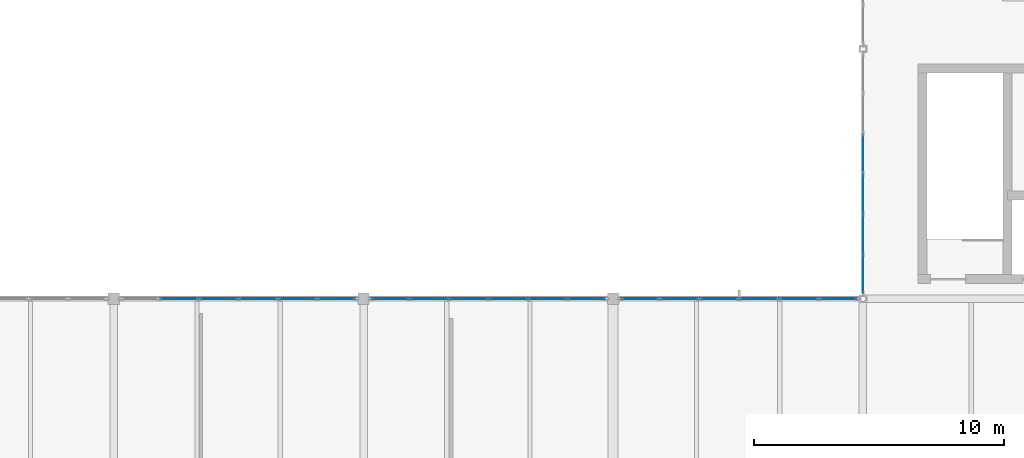
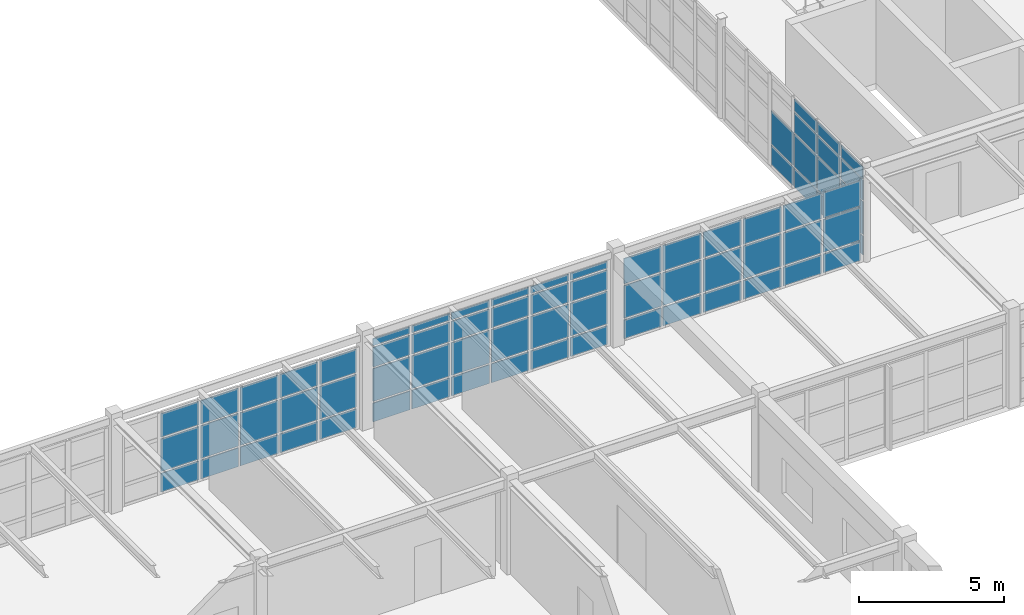
# One storey, part 84 of 122: 71 plates, 4 elements without a shape of their own.
"""IFC4 building model written with IfcOpenShell, lengths in metres."""

from ifc_helpers import new_model, si_unit, direction, frame, origin, origin_2d, place, context, subcontext, project, spatial, rectangle, extrude, material, layer, layer_set, type_object, element, aggregate, save


model = new_model("IFC4")

# Units and contexts
model_context = context("Model", 3, precision=1e-05, world=origin(), true_north=direction((0.0, 1.0)))
body_context = subcontext(model_context, "Body", "Model", "MODEL_VIEW")
ifc_project = project(units=[si_unit("LENGTHUNIT", "METRE"), si_unit("AREAUNIT", "SQUARE_METRE"), si_unit("VOLUMEUNIT", "CUBIC_METRE"), si_unit("PLANEANGLEUNIT", "RADIAN"), si_unit("MASSUNIT", "GRAM", prefix="KILO"), si_unit("THERMODYNAMICTEMPERATUREUNIT", "KELVIN"), si_unit("POWERUNIT", "WATT")], contexts=[model_context])

# Site, building, storey
site_placement = place(None, origin())
site = spatial("IfcSite", under=ifc_project, at=site_placement, CompositionType="ELEMENT")
building_placement = place(site_placement, origin())
building = spatial("IfcBuilding", under=site, at=building_placement, Name="Korenveer Ferry Terminal", CompositionType="ELEMENT")
storey_placement = place(building_placement, frame((0.0, 0.0, 10.199951171875)))
storey = spatial("IfcBuildingStorey", under=building, at=storey_placement, Name="L02", CompositionType="ELEMENT", Elevation=10.199951171875)

# Curtain wall, plates
ifc_material_1 = material(Name="Unitised bronze-and-glass curtain wall", Category="glass")
ifc_layer_1 = layer(ifc_material_1, 0.219970703125)
ifc_layer_set_1 = layer_set([ifc_layer_1], Name="Unitised bronze-and-glass curtain wall")
curtain_wall_type_1 = type_object("IfcCurtainWallType", Name="ENV-CW-95", PredefinedType="USERDEFINED", material=ifc_layer_set_1)
curtain_wall_1_placement = place(storey_placement, frame((10.2548828125, 80.0, 0.0)))
curtain_wall_1 = element("IfcCurtainWall", 1, at=curtain_wall_1_placement, inside=storey, type_object=curtain_wall_type_1, Name="Lancet curtain wall CWX-L02-X10-20-Y80-80", ObjectType="UNITISED CURTAIN WALL", PredefinedType="USERDEFINED")
ifc_material_2 = material(Name="Acoustic laminated marine glazing", Category="glass")
ifc_layer_2 = layer(ifc_material_2, 0.035888671875)
ifc_layer_set_2 = layer_set([ifc_layer_2], Name="Acoustic laminated marine glazing")
plate_type = type_object("IfcPlateType", Name="ENV-CWP-GLZ36", PredefinedType="CURTAIN_PANEL", material=ifc_layer_set_2)
plate_1_placement = place(storey_placement, frame((12.62744140625, 80.0, 0.074951171875), z_axis=(0.0, 0.0, 1.0), x_axis=(1.0, 0.0, 0.0)))
plate_1 = element("IfcPlate", 2, at=plate_1_placement, type_object=plate_type, Name="CW-95 panel 2.1", PredefinedType="CURTAIN_PANEL", context=body_context, shape_type="SweptSolid", body=[
    extrude(rectangle(XDim=1.506591796875, YDim=0.035888671875, at=origin_2d()), origin(), (0.0, 0.0, 1.0), 0.78759765625),
])
plate_2_placement = place(storey_placement, frame((12.62744140625, 80.0, 0.9375), z_axis=(0.0, 0.0, 1.0), x_axis=(1.0, 0.0, 0.0)))
plate_2 = element("IfcPlate", 3, at=plate_2_placement, type_object=plate_type, Name="CW-95 panel 2.2", PredefinedType="CURTAIN_PANEL", context=body_context, shape_type="SweptSolid", body=[
    extrude(rectangle(XDim=1.506591796875, YDim=0.035888671875, at=origin_2d()), origin(), (0.0, 0.0, 1.0), 1.375),
])
plate_3_placement = place(storey_placement, frame((12.62744140625, 80.0, 2.3876953125), z_axis=(0.0, 0.0, 1.0), x_axis=(1.0, 0.0, 0.0)))
plate_3 = element("IfcPlate", 4, at=plate_3_placement, type_object=plate_type, Name="CW-95 panel 2.3", PredefinedType="CURTAIN_PANEL", context=body_context, shape_type="SweptSolid", body=[
    extrude(rectangle(XDim=1.506591796875, YDim=0.035888671875, at=origin_2d()), origin(), (0.0, 0.0, 1.0), 0.987548828125),
])
plate_4_placement = place(storey_placement, frame((14.209228515625, 80.0, 0.074951171875), z_axis=(0.0, 0.0, 1.0), x_axis=(1.0, 0.0, 0.0)))
plate_4 = element("IfcPlate", 5, at=plate_4_placement, type_object=plate_type, Name="CW-95 panel 3.1", PredefinedType="CURTAIN_PANEL", context=body_context, shape_type="SweptSolid", body=[
    extrude(rectangle(XDim=1.506591796875, YDim=0.035888671875, at=origin_2d()), origin(), (0.0, 0.0, 1.0), 0.78759765625),
])
plate_5_placement = place(storey_placement, frame((14.209228515625, 80.0, 0.9375), z_axis=(0.0, 0.0, 1.0), x_axis=(1.0, 0.0, 0.0)))
plate_5 = element("IfcPlate", 6, at=plate_5_placement, type_object=plate_type, Name="CW-95 panel 3.2", PredefinedType="CURTAIN_PANEL", context=body_context, shape_type="SweptSolid", body=[
    extrude(rectangle(XDim=1.506591796875, YDim=0.035888671875, at=origin_2d()), origin(), (0.0, 0.0, 1.0), 1.375),
])
plate_6_placement = place(storey_placement, frame((14.209228515625, 80.0, 2.3876953125), z_axis=(0.0, 0.0, 1.0), x_axis=(1.0, 0.0, 0.0)))
plate_6 = element("IfcPlate", 7, at=plate_6_placement, type_object=plate_type, Name="CW-95 panel 3.3", PredefinedType="CURTAIN_PANEL", context=body_context, shape_type="SweptSolid", body=[
    extrude(rectangle(XDim=1.506591796875, YDim=0.035888671875, at=origin_2d()), origin(), (0.0, 0.0, 1.0), 0.987548828125),
])
plate_7_placement = place(storey_placement, frame((15.790771484375, 80.0, 0.074951171875), z_axis=(0.0, 0.0, 1.0), x_axis=(1.0, 0.0, 0.0)))
plate_7 = element("IfcPlate", 8, at=plate_7_placement, type_object=plate_type, Name="CW-95 panel 4.1", PredefinedType="CURTAIN_PANEL", context=body_context, shape_type="SweptSolid", body=[
    extrude(rectangle(XDim=1.506591796875, YDim=0.035888671875, at=origin_2d()), origin(), (0.0, 0.0, 1.0), 0.78759765625),
])
plate_8_placement = place(storey_placement, frame((15.790771484375, 80.0, 0.9375), z_axis=(0.0, 0.0, 1.0), x_axis=(1.0, 0.0, 0.0)))
plate_8 = element("IfcPlate", 9, at=plate_8_placement, type_object=plate_type, Name="CW-95 panel 4.2", PredefinedType="CURTAIN_PANEL", context=body_context, shape_type="SweptSolid", body=[
    extrude(rectangle(XDim=1.506591796875, YDim=0.035888671875, at=origin_2d()), origin(), (0.0, 0.0, 1.0), 1.375),
])
plate_9_placement = place(storey_placement, frame((15.790771484375, 80.0, 2.3876953125), z_axis=(0.0, 0.0, 1.0), x_axis=(1.0, 0.0, 0.0)))
plate_9 = element("IfcPlate", 10, at=plate_9_placement, type_object=plate_type, Name="CW-95 panel 4.3", PredefinedType="CURTAIN_PANEL", context=body_context, shape_type="SweptSolid", body=[
    extrude(rectangle(XDim=1.506591796875, YDim=0.035888671875, at=origin_2d()), origin(), (0.0, 0.0, 1.0), 0.987548828125),
])
plate_10_placement = place(storey_placement, frame((17.37255859375, 80.0, 0.074951171875), z_axis=(0.0, 0.0, 1.0), x_axis=(1.0, 0.0, 0.0)))
plate_10 = element("IfcPlate", 11, at=plate_10_placement, type_object=plate_type, Name="CW-95 panel 5.1", PredefinedType="CURTAIN_PANEL", context=body_context, shape_type="SweptSolid", body=[
    extrude(rectangle(XDim=1.506591796875, YDim=0.035888671875, at=origin_2d()), origin(), (0.0, 0.0, 1.0), 0.78759765625),
])
plate_11_placement = place(storey_placement, frame((17.37255859375, 80.0, 0.9375), z_axis=(0.0, 0.0, 1.0), x_axis=(1.0, 0.0, 0.0)))
plate_11 = element("IfcPlate", 12, at=plate_11_placement, type_object=plate_type, Name="CW-95 panel 5.2", PredefinedType="CURTAIN_PANEL", context=body_context, shape_type="SweptSolid", body=[
    extrude(rectangle(XDim=1.506591796875, YDim=0.035888671875, at=origin_2d()), origin(), (0.0, 0.0, 1.0), 1.375),
])
plate_12_placement = place(storey_placement, frame((17.37255859375, 80.0, 2.3876953125), z_axis=(0.0, 0.0, 1.0), x_axis=(1.0, 0.0, 0.0)))
plate_12 = element("IfcPlate", 13, at=plate_12_placement, type_object=plate_type, Name="CW-95 panel 5.3", PredefinedType="CURTAIN_PANEL", context=body_context, shape_type="SweptSolid", body=[
    extrude(rectangle(XDim=1.506591796875, YDim=0.035888671875, at=origin_2d()), origin(), (0.0, 0.0, 1.0), 0.987548828125),
])
plate_13_placement = place(storey_placement, frame((18.935302734375, 80.0, 0.074951171875), z_axis=(0.0, 0.0, 1.0), x_axis=(1.0, 0.0, 0.0)))
plate_13 = element("IfcPlate", 14, at=plate_13_placement, type_object=plate_type, Name="CW-95 panel 6.1", PredefinedType="CURTAIN_PANEL", context=body_context, shape_type="SweptSolid", body=[
    extrude(rectangle(XDim=1.46923828125, YDim=0.035888671875, at=origin_2d()), origin(), (0.0, 0.0, 1.0), 0.78759765625),
])
plate_14_placement = place(storey_placement, frame((18.935302734375, 80.0, 0.9375), z_axis=(0.0, 0.0, 1.0), x_axis=(1.0, 0.0, 0.0)))
plate_14 = element("IfcPlate", 15, at=plate_14_placement, type_object=plate_type, Name="CW-95 panel 6.2", PredefinedType="CURTAIN_PANEL", context=body_context, shape_type="SweptSolid", body=[
    extrude(rectangle(XDim=1.46923828125, YDim=0.035888671875, at=origin_2d()), origin(), (0.0, 0.0, 1.0), 1.375),
])
plate_15_placement = place(storey_placement, frame((18.935302734375, 80.0, 2.3876953125), z_axis=(0.0, 0.0, 1.0), x_axis=(1.0, 0.0, 0.0)))
plate_15 = element("IfcPlate", 16, at=plate_15_placement, type_object=plate_type, Name="CW-95 panel 6.3", PredefinedType="CURTAIN_PANEL", context=body_context, shape_type="SweptSolid", body=[
    extrude(rectangle(XDim=1.46923828125, YDim=0.035888671875, at=origin_2d()), origin(), (0.0, 0.0, 1.0), 0.987548828125),
])
aggregate(curtain_wall_1, [plate_1, plate_2, plate_3, plate_4, plate_5, plate_6, plate_7, plate_8, plate_9, plate_10, plate_11, plate_12, plate_13, plate_14, plate_15])

ifc_layer_3 = layer(ifc_material_1, 0.219970703125)
ifc_layer_set_3 = layer_set([ifc_layer_3], Name="Unitised bronze-and-glass curtain wall")
curtain_wall_type_2 = type_object("IfcCurtainWallType", Name="ENV-CW-96", PredefinedType="USERDEFINED", material=ifc_layer_set_3)
curtain_wall_2_placement = place(storey_placement, frame((20.2548828125, 80.0, 0.0)))
curtain_wall_2 = element("IfcCurtainWall", 17, at=curtain_wall_2_placement, inside=storey, type_object=curtain_wall_type_2, Name="Lancet curtain wall CWX-L02-X20-30-Y80-80", ObjectType="UNITISED CURTAIN WALL", PredefinedType="USERDEFINED")
plate_16_placement = place(storey_placement, frame((21.064697265625, 80.0, 0.074951171875), z_axis=(0.0, 0.0, 1.0), x_axis=(1.0, 0.0, 0.0)))
plate_16 = element("IfcPlate", 18, at=plate_16_placement, type_object=plate_type, Name="CW-96 panel 1.1", PredefinedType="CURTAIN_PANEL", context=body_context, shape_type="SweptSolid", body=[
    extrude(rectangle(XDim=1.46923828125, YDim=0.035888671875, at=origin_2d()), origin(), (0.0, 0.0, 1.0), 0.78759765625),
])
plate_17_placement = place(storey_placement, frame((21.064697265625, 80.0, 0.9375), z_axis=(0.0, 0.0, 1.0), x_axis=(1.0, 0.0, 0.0)))
plate_17 = element("IfcPlate", 19, at=plate_17_placement, type_object=plate_type, Name="CW-96 panel 1.2", PredefinedType="CURTAIN_PANEL", context=body_context, shape_type="SweptSolid", body=[
    extrude(rectangle(XDim=1.46923828125, YDim=0.035888671875, at=origin_2d()), origin(), (0.0, 0.0, 1.0), 1.375),
])
plate_18_placement = place(storey_placement, frame((21.064697265625, 80.0, 2.3876953125), z_axis=(0.0, 0.0, 1.0), x_axis=(1.0, 0.0, 0.0)))
plate_18 = element("IfcPlate", 20, at=plate_18_placement, type_object=plate_type, Name="CW-96 panel 1.3", PredefinedType="CURTAIN_PANEL", context=body_context, shape_type="SweptSolid", body=[
    extrude(rectangle(XDim=1.46923828125, YDim=0.035888671875, at=origin_2d()), origin(), (0.0, 0.0, 1.0), 0.824951171875),
])
plate_19_placement = place(storey_placement, frame((21.064697265625, 80.0, 3.28759765625), z_axis=(0.0, 0.0, 1.0), x_axis=(1.0, 0.0, 0.0)))
plate_19 = element("IfcPlate", 21, at=plate_19_placement, type_object=plate_type, Name="CW-96 panel 1.4", PredefinedType="CURTAIN_PANEL", context=body_context, shape_type="SweptSolid", body=[
    extrude(rectangle(XDim=1.46923828125, YDim=0.035888671875, at=origin_2d()), origin(), (0.0, 0.0, 1.0), 0.28759765625),
])
plate_20_placement = place(storey_placement, frame((22.62744140625, 80.0, 0.074951171875), z_axis=(0.0, 0.0, 1.0), x_axis=(1.0, 0.0, 0.0)))
plate_20 = element("IfcPlate", 22, at=plate_20_placement, type_object=plate_type, Name="CW-96 panel 2.1", PredefinedType="CURTAIN_PANEL", context=body_context, shape_type="SweptSolid", body=[
    extrude(rectangle(XDim=1.506591796875, YDim=0.035888671875, at=origin_2d()), origin(), (0.0, 0.0, 1.0), 0.78759765625),
])
plate_21_placement = place(storey_placement, frame((22.62744140625, 80.0, 0.9375), z_axis=(0.0, 0.0, 1.0), x_axis=(1.0, 0.0, 0.0)))
plate_21 = element("IfcPlate", 23, at=plate_21_placement, type_object=plate_type, Name="CW-96 panel 2.2", PredefinedType="CURTAIN_PANEL", context=body_context, shape_type="SweptSolid", body=[
    extrude(rectangle(XDim=1.506591796875, YDim=0.035888671875, at=origin_2d()), origin(), (0.0, 0.0, 1.0), 1.375),
])
plate_22_placement = place(storey_placement, frame((22.62744140625, 80.0, 2.3876953125), z_axis=(0.0, 0.0, 1.0), x_axis=(1.0, 0.0, 0.0)))
plate_22 = element("IfcPlate", 24, at=plate_22_placement, type_object=plate_type, Name="CW-96 panel 2.3", PredefinedType="CURTAIN_PANEL", context=body_context, shape_type="SweptSolid", body=[
    extrude(rectangle(XDim=1.506591796875, YDim=0.035888671875, at=origin_2d()), origin(), (0.0, 0.0, 1.0), 0.824951171875),
])
plate_23_placement = place(storey_placement, frame((22.62744140625, 80.0, 3.28759765625), z_axis=(0.0, 0.0, 1.0), x_axis=(1.0, 0.0, 0.0)))
plate_23 = element("IfcPlate", 25, at=plate_23_placement, type_object=plate_type, Name="CW-96 panel 2.4", PredefinedType="CURTAIN_PANEL", context=body_context, shape_type="SweptSolid", body=[
    extrude(rectangle(XDim=1.506591796875, YDim=0.035888671875, at=origin_2d()), origin(), (0.0, 0.0, 1.0), 0.28759765625),
])
plate_24_placement = place(storey_placement, frame((24.209228515625, 80.0, 0.074951171875), z_axis=(0.0, 0.0, 1.0), x_axis=(1.0, 0.0, 0.0)))
plate_24 = element("IfcPlate", 26, at=plate_24_placement, type_object=plate_type, Name="CW-96 panel 3.1", PredefinedType="CURTAIN_PANEL", context=body_context, shape_type="SweptSolid", body=[
    extrude(rectangle(XDim=1.506591796875, YDim=0.035888671875, at=origin_2d()), origin(), (0.0, 0.0, 1.0), 0.78759765625),
])
plate_25_placement = place(storey_placement, frame((24.209228515625, 80.0, 0.9375), z_axis=(0.0, 0.0, 1.0), x_axis=(1.0, 0.0, 0.0)))
plate_25 = element("IfcPlate", 27, at=plate_25_placement, type_object=plate_type, Name="CW-96 panel 3.2", PredefinedType="CURTAIN_PANEL", context=body_context, shape_type="SweptSolid", body=[
    extrude(rectangle(XDim=1.506591796875, YDim=0.035888671875, at=origin_2d()), origin(), (0.0, 0.0, 1.0), 1.375),
])
plate_26_placement = place(storey_placement, frame((24.209228515625, 80.0, 2.3876953125), z_axis=(0.0, 0.0, 1.0), x_axis=(1.0, 0.0, 0.0)))
plate_26 = element("IfcPlate", 28, at=plate_26_placement, type_object=plate_type, Name="CW-96 panel 3.3", PredefinedType="CURTAIN_PANEL", context=body_context, shape_type="SweptSolid", body=[
    extrude(rectangle(XDim=1.506591796875, YDim=0.035888671875, at=origin_2d()), origin(), (0.0, 0.0, 1.0), 0.824951171875),
])
plate_27_placement = place(storey_placement, frame((24.209228515625, 80.0, 3.28759765625), z_axis=(0.0, 0.0, 1.0), x_axis=(1.0, 0.0, 0.0)))
plate_27 = element("IfcPlate", 29, at=plate_27_placement, type_object=plate_type, Name="CW-96 panel 3.4", PredefinedType="CURTAIN_PANEL", context=body_context, shape_type="SweptSolid", body=[
    extrude(rectangle(XDim=1.506591796875, YDim=0.035888671875, at=origin_2d()), origin(), (0.0, 0.0, 1.0), 0.28759765625),
])
plate_28_placement = place(storey_placement, frame((25.790771484375, 80.0, 0.074951171875), z_axis=(0.0, 0.0, 1.0), x_axis=(1.0, 0.0, 0.0)))
plate_28 = element("IfcPlate", 30, at=plate_28_placement, type_object=plate_type, Name="CW-96 panel 4.1", PredefinedType="CURTAIN_PANEL", context=body_context, shape_type="SweptSolid", body=[
    extrude(rectangle(XDim=1.506591796875, YDim=0.035888671875, at=origin_2d()), origin(), (0.0, 0.0, 1.0), 0.78759765625),
])
plate_29_placement = place(storey_placement, frame((25.790771484375, 80.0, 0.9375), z_axis=(0.0, 0.0, 1.0), x_axis=(1.0, 0.0, 0.0)))
plate_29 = element("IfcPlate", 31, at=plate_29_placement, type_object=plate_type, Name="CW-96 panel 4.2", PredefinedType="CURTAIN_PANEL", context=body_context, shape_type="SweptSolid", body=[
    extrude(rectangle(XDim=1.506591796875, YDim=0.035888671875, at=origin_2d()), origin(), (0.0, 0.0, 1.0), 1.375),
])
plate_30_placement = place(storey_placement, frame((25.790771484375, 80.0, 2.3876953125), z_axis=(0.0, 0.0, 1.0), x_axis=(1.0, 0.0, 0.0)))
plate_30 = element("IfcPlate", 32, at=plate_30_placement, type_object=plate_type, Name="CW-96 panel 4.3", PredefinedType="CURTAIN_PANEL", context=body_context, shape_type="SweptSolid", body=[
    extrude(rectangle(XDim=1.506591796875, YDim=0.035888671875, at=origin_2d()), origin(), (0.0, 0.0, 1.0), 0.824951171875),
])
plate_31_placement = place(storey_placement, frame((25.790771484375, 80.0, 3.28759765625), z_axis=(0.0, 0.0, 1.0), x_axis=(1.0, 0.0, 0.0)))
plate_31 = element("IfcPlate", 33, at=plate_31_placement, type_object=plate_type, Name="CW-96 panel 4.4", PredefinedType="CURTAIN_PANEL", context=body_context, shape_type="SweptSolid", body=[
    extrude(rectangle(XDim=1.506591796875, YDim=0.035888671875, at=origin_2d()), origin(), (0.0, 0.0, 1.0), 0.28759765625),
])
plate_32_placement = place(storey_placement, frame((27.37255859375, 80.0, 0.074951171875), z_axis=(0.0, 0.0, 1.0), x_axis=(1.0, 0.0, 0.0)))
plate_32 = element("IfcPlate", 34, at=plate_32_placement, type_object=plate_type, Name="CW-96 panel 5.1", PredefinedType="CURTAIN_PANEL", context=body_context, shape_type="SweptSolid", body=[
    extrude(rectangle(XDim=1.506591796875, YDim=0.035888671875, at=origin_2d()), origin(), (0.0, 0.0, 1.0), 0.78759765625),
])
plate_33_placement = place(storey_placement, frame((27.37255859375, 80.0, 0.9375), z_axis=(0.0, 0.0, 1.0), x_axis=(1.0, 0.0, 0.0)))
plate_33 = element("IfcPlate", 35, at=plate_33_placement, type_object=plate_type, Name="CW-96 panel 5.2", PredefinedType="CURTAIN_PANEL", context=body_context, shape_type="SweptSolid", body=[
    extrude(rectangle(XDim=1.506591796875, YDim=0.035888671875, at=origin_2d()), origin(), (0.0, 0.0, 1.0), 1.375),
])
plate_34_placement = place(storey_placement, frame((27.37255859375, 80.0, 2.3876953125), z_axis=(0.0, 0.0, 1.0), x_axis=(1.0, 0.0, 0.0)))
plate_34 = element("IfcPlate", 36, at=plate_34_placement, type_object=plate_type, Name="CW-96 panel 5.3", PredefinedType="CURTAIN_PANEL", context=body_context, shape_type="SweptSolid", body=[
    extrude(rectangle(XDim=1.506591796875, YDim=0.035888671875, at=origin_2d()), origin(), (0.0, 0.0, 1.0), 0.824951171875),
])
plate_35_placement = place(storey_placement, frame((27.37255859375, 80.0, 3.28759765625), z_axis=(0.0, 0.0, 1.0), x_axis=(1.0, 0.0, 0.0)))
plate_35 = element("IfcPlate", 37, at=plate_35_placement, type_object=plate_type, Name="CW-96 panel 5.4", PredefinedType="CURTAIN_PANEL", context=body_context, shape_type="SweptSolid", body=[
    extrude(rectangle(XDim=1.506591796875, YDim=0.035888671875, at=origin_2d()), origin(), (0.0, 0.0, 1.0), 0.28759765625),
])
plate_36_placement = place(storey_placement, frame((28.935302734375, 80.0, 0.074951171875), z_axis=(0.0, 0.0, 1.0), x_axis=(1.0, 0.0, 0.0)))
plate_36 = element("IfcPlate", 38, at=plate_36_placement, type_object=plate_type, Name="CW-96 panel 6.1", PredefinedType="CURTAIN_PANEL", context=body_context, shape_type="SweptSolid", body=[
    extrude(rectangle(XDim=1.46923828125, YDim=0.035888671875, at=origin_2d()), origin(), (0.0, 0.0, 1.0), 0.78759765625),
])
plate_37_placement = place(storey_placement, frame((28.935302734375, 80.0, 0.9375), z_axis=(0.0, 0.0, 1.0), x_axis=(1.0, 0.0, 0.0)))
plate_37 = element("IfcPlate", 39, at=plate_37_placement, type_object=plate_type, Name="CW-96 panel 6.2", PredefinedType="CURTAIN_PANEL", context=body_context, shape_type="SweptSolid", body=[
    extrude(rectangle(XDim=1.46923828125, YDim=0.035888671875, at=origin_2d()), origin(), (0.0, 0.0, 1.0), 1.375),
])
plate_38_placement = place(storey_placement, frame((28.935302734375, 80.0, 2.3876953125), z_axis=(0.0, 0.0, 1.0), x_axis=(1.0, 0.0, 0.0)))
plate_38 = element("IfcPlate", 40, at=plate_38_placement, type_object=plate_type, Name="CW-96 panel 6.3", PredefinedType="CURTAIN_PANEL", context=body_context, shape_type="SweptSolid", body=[
    extrude(rectangle(XDim=1.46923828125, YDim=0.035888671875, at=origin_2d()), origin(), (0.0, 0.0, 1.0), 0.824951171875),
])
plate_39_placement = place(storey_placement, frame((28.935302734375, 80.0, 3.28759765625), z_axis=(0.0, 0.0, 1.0), x_axis=(1.0, 0.0, 0.0)))
plate_39 = element("IfcPlate", 41, at=plate_39_placement, type_object=plate_type, Name="CW-96 panel 6.4", PredefinedType="CURTAIN_PANEL", context=body_context, shape_type="SweptSolid", body=[
    extrude(rectangle(XDim=1.46923828125, YDim=0.035888671875, at=origin_2d()), origin(), (0.0, 0.0, 1.0), 0.28759765625),
])
aggregate(curtain_wall_2, [plate_16, plate_17, plate_18, plate_19, plate_20, plate_21, plate_22, plate_23, plate_24, plate_25, plate_26, plate_27, plate_28, plate_29, plate_30, plate_31, plate_32, plate_33, plate_34, plate_35, plate_36, plate_37, plate_38, plate_39])

ifc_layer_4 = layer(ifc_material_1, 0.219970703125)
ifc_layer_set_4 = layer_set([ifc_layer_4], Name="Unitised bronze-and-glass curtain wall")
curtain_wall_type_3 = type_object("IfcCurtainWallType", Name="ENV-CW-97", PredefinedType="USERDEFINED", material=ifc_layer_set_4)
curtain_wall_3_placement = place(storey_placement, frame((30.2548828125, 80.0, 0.0)))
curtain_wall_3 = element("IfcCurtainWall", 42, at=curtain_wall_3_placement, inside=storey, type_object=curtain_wall_type_3, Name="Lancet curtain wall CWX-L02-X30-40-Y80-80", ObjectType="UNITISED CURTAIN WALL", PredefinedType="USERDEFINED")
plate_40_placement = place(storey_placement, frame((31.072021484375, 80.0, 0.074951171875), z_axis=(0.0, 0.0, 1.0), x_axis=(1.0, 0.0, 0.0)))
plate_40 = element("IfcPlate", 43, at=plate_40_placement, type_object=plate_type, Name="CW-97 panel 1.1", PredefinedType="CURTAIN_PANEL", context=body_context, shape_type="SweptSolid", body=[
    extrude(rectangle(XDim=1.48388671875, YDim=0.035888671875, at=origin_2d()), origin(), (0.0, 0.0, 1.0), 0.78759765625),
])
plate_41_placement = place(storey_placement, frame((31.072021484375, 80.0, 0.9375), z_axis=(0.0, 0.0, 1.0), x_axis=(1.0, 0.0, 0.0)))
plate_41 = element("IfcPlate", 44, at=plate_41_placement, type_object=plate_type, Name="CW-97 panel 1.2", PredefinedType="CURTAIN_PANEL", context=body_context, shape_type="SweptSolid", body=[
    extrude(rectangle(XDim=1.48388671875, YDim=0.035888671875, at=origin_2d()), origin(), (0.0, 0.0, 1.0), 1.375),
])
plate_42_placement = place(storey_placement, frame((31.072021484375, 80.0, 2.3876953125), z_axis=(0.0, 0.0, 1.0), x_axis=(1.0, 0.0, 0.0)))
plate_42 = element("IfcPlate", 45, at=plate_42_placement, type_object=plate_type, Name="CW-97 panel 1.3", PredefinedType="CURTAIN_PANEL", context=body_context, shape_type="SweptSolid", body=[
    extrude(rectangle(XDim=1.48388671875, YDim=0.035888671875, at=origin_2d()), origin(), (0.0, 0.0, 1.0), 1.0673828125),
])
plate_43_placement = place(storey_placement, frame((32.649658203125, 80.0, 0.074951171875), z_axis=(0.0, 0.0, 1.0), x_axis=(1.0, 0.0, 0.0)))
plate_43 = element("IfcPlate", 46, at=plate_43_placement, type_object=plate_type, Name="CW-97 panel 2.1", PredefinedType="CURTAIN_PANEL", context=body_context, shape_type="SweptSolid", body=[
    extrude(rectangle(XDim=1.521484375, YDim=0.035888671875, at=origin_2d()), origin(), (0.0, 0.0, 1.0), 0.78759765625),
])
plate_44_placement = place(storey_placement, frame((32.649658203125, 80.0, 0.9375), z_axis=(0.0, 0.0, 1.0), x_axis=(1.0, 0.0, 0.0)))
plate_44 = element("IfcPlate", 47, at=plate_44_placement, type_object=plate_type, Name="CW-97 panel 2.2", PredefinedType="CURTAIN_PANEL", context=body_context, shape_type="SweptSolid", body=[
    extrude(rectangle(XDim=1.521484375, YDim=0.035888671875, at=origin_2d()), origin(), (0.0, 0.0, 1.0), 1.375),
])
plate_45_placement = place(storey_placement, frame((32.649658203125, 80.0, 2.3876953125), z_axis=(0.0, 0.0, 1.0), x_axis=(1.0, 0.0, 0.0)))
plate_45 = element("IfcPlate", 48, at=plate_45_placement, type_object=plate_type, Name="CW-97 panel 2.3", PredefinedType="CURTAIN_PANEL", context=body_context, shape_type="SweptSolid", body=[
    extrude(rectangle(XDim=1.521484375, YDim=0.035888671875, at=origin_2d()), origin(), (0.0, 0.0, 1.0), 1.0673828125),
])
plate_46_placement = place(storey_placement, frame((34.24609375, 80.0, 0.074951171875), z_axis=(0.0, 0.0, 1.0), x_axis=(1.0, 0.0, 0.0)))
plate_46 = element("IfcPlate", 49, at=plate_46_placement, type_object=plate_type, Name="CW-97 panel 3.1", PredefinedType="CURTAIN_PANEL", context=body_context, shape_type="SweptSolid", body=[
    extrude(rectangle(XDim=1.521484375, YDim=0.035888671875, at=origin_2d()), origin(), (0.0, 0.0, 1.0), 0.78759765625),
])
plate_47_placement = place(storey_placement, frame((34.24609375, 80.0, 0.9375), z_axis=(0.0, 0.0, 1.0), x_axis=(1.0, 0.0, 0.0)))
plate_47 = element("IfcPlate", 50, at=plate_47_placement, type_object=plate_type, Name="CW-97 panel 3.2", PredefinedType="CURTAIN_PANEL", context=body_context, shape_type="SweptSolid", body=[
    extrude(rectangle(XDim=1.521484375, YDim=0.035888671875, at=origin_2d()), origin(), (0.0, 0.0, 1.0), 1.375),
])
plate_48_placement = place(storey_placement, frame((34.24609375, 80.0, 2.3876953125), z_axis=(0.0, 0.0, 1.0), x_axis=(1.0, 0.0, 0.0)))
plate_48 = element("IfcPlate", 51, at=plate_48_placement, type_object=plate_type, Name="CW-97 panel 3.3", PredefinedType="CURTAIN_PANEL", context=body_context, shape_type="SweptSolid", body=[
    extrude(rectangle(XDim=1.521484375, YDim=0.035888671875, at=origin_2d()), origin(), (0.0, 0.0, 1.0), 1.0673828125),
])
plate_49_placement = place(storey_placement, frame((35.842529296875, 80.0, 0.074951171875), z_axis=(0.0, 0.0, 1.0), x_axis=(1.0, 0.0, 0.0)))
plate_49 = element("IfcPlate", 52, at=plate_49_placement, type_object=plate_type, Name="CW-97 panel 4.1", PredefinedType="CURTAIN_PANEL", context=body_context, shape_type="SweptSolid", body=[
    extrude(rectangle(XDim=1.521484375, YDim=0.035888671875, at=origin_2d()), origin(), (0.0, 0.0, 1.0), 0.78759765625),
])
plate_50_placement = place(storey_placement, frame((35.842529296875, 80.0, 0.9375), z_axis=(0.0, 0.0, 1.0), x_axis=(1.0, 0.0, 0.0)))
plate_50 = element("IfcPlate", 53, at=plate_50_placement, type_object=plate_type, Name="CW-97 panel 4.2", PredefinedType="CURTAIN_PANEL", context=body_context, shape_type="SweptSolid", body=[
    extrude(rectangle(XDim=1.521484375, YDim=0.035888671875, at=origin_2d()), origin(), (0.0, 0.0, 1.0), 1.375),
])
plate_51_placement = place(storey_placement, frame((35.842529296875, 80.0, 2.3876953125), z_axis=(0.0, 0.0, 1.0), x_axis=(1.0, 0.0, 0.0)))
plate_51 = element("IfcPlate", 54, at=plate_51_placement, type_object=plate_type, Name="CW-97 panel 4.3", PredefinedType="CURTAIN_PANEL", context=body_context, shape_type="SweptSolid", body=[
    extrude(rectangle(XDim=1.521484375, YDim=0.035888671875, at=origin_2d()), origin(), (0.0, 0.0, 1.0), 1.0673828125),
])
plate_52_placement = place(storey_placement, frame((37.43896484375, 80.0, 0.074951171875), z_axis=(0.0, 0.0, 1.0), x_axis=(1.0, 0.0, 0.0)))
plate_52 = element("IfcPlate", 55, at=plate_52_placement, type_object=plate_type, Name="CW-97 panel 5.1", PredefinedType="CURTAIN_PANEL", context=body_context, shape_type="SweptSolid", body=[
    extrude(rectangle(XDim=1.521484375, YDim=0.035888671875, at=origin_2d()), origin(), (0.0, 0.0, 1.0), 0.78759765625),
])
plate_53_placement = place(storey_placement, frame((37.43896484375, 80.0, 0.9375), z_axis=(0.0, 0.0, 1.0), x_axis=(1.0, 0.0, 0.0)))
plate_53 = element("IfcPlate", 56, at=plate_53_placement, type_object=plate_type, Name="CW-97 panel 5.2", PredefinedType="CURTAIN_PANEL", context=body_context, shape_type="SweptSolid", body=[
    extrude(rectangle(XDim=1.521484375, YDim=0.035888671875, at=origin_2d()), origin(), (0.0, 0.0, 1.0), 1.375),
])
plate_54_placement = place(storey_placement, frame((37.43896484375, 80.0, 2.3876953125), z_axis=(0.0, 0.0, 1.0), x_axis=(1.0, 0.0, 0.0)))
plate_54 = element("IfcPlate", 57, at=plate_54_placement, type_object=plate_type, Name="CW-97 panel 5.3", PredefinedType="CURTAIN_PANEL", context=body_context, shape_type="SweptSolid", body=[
    extrude(rectangle(XDim=1.521484375, YDim=0.035888671875, at=origin_2d()), origin(), (0.0, 0.0, 1.0), 1.0673828125),
])
plate_55_placement = place(storey_placement, frame((39.0166015625, 80.0, 0.074951171875), z_axis=(0.0, 0.0, 1.0), x_axis=(1.0, 0.0, 0.0)))
plate_55 = element("IfcPlate", 58, at=plate_55_placement, type_object=plate_type, Name="CW-97 panel 6.1", PredefinedType="CURTAIN_PANEL", context=body_context, shape_type="SweptSolid", body=[
    extrude(rectangle(XDim=1.48388671875, YDim=0.035888671875, at=origin_2d()), origin(), (0.0, 0.0, 1.0), 0.78759765625),
])
plate_56_placement = place(storey_placement, frame((39.0166015625, 80.0, 0.9375), z_axis=(0.0, 0.0, 1.0), x_axis=(1.0, 0.0, 0.0)))
plate_56 = element("IfcPlate", 59, at=plate_56_placement, type_object=plate_type, Name="CW-97 panel 6.2", PredefinedType="CURTAIN_PANEL", context=body_context, shape_type="SweptSolid", body=[
    extrude(rectangle(XDim=1.48388671875, YDim=0.035888671875, at=origin_2d()), origin(), (0.0, 0.0, 1.0), 1.375),
])
plate_57_placement = place(storey_placement, frame((39.0166015625, 80.0, 2.3876953125), z_axis=(0.0, 0.0, 1.0), x_axis=(1.0, 0.0, 0.0)))
plate_57 = element("IfcPlate", 60, at=plate_57_placement, type_object=plate_type, Name="CW-97 panel 6.3", PredefinedType="CURTAIN_PANEL", context=body_context, shape_type="SweptSolid", body=[
    extrude(rectangle(XDim=1.48388671875, YDim=0.035888671875, at=origin_2d()), origin(), (0.0, 0.0, 1.0), 1.0673828125),
])
aggregate(curtain_wall_3, [plate_40, plate_41, plate_42, plate_43, plate_44, plate_45, plate_46, plate_47, plate_48, plate_49, plate_50, plate_51, plate_52, plate_53, plate_54, plate_55, plate_56, plate_57])

ifc_layer_5 = layer(ifc_material_1, 0.219970703125)
ifc_layer_set_5 = layer_set([ifc_layer_5], Name="Unitised bronze-and-glass curtain wall")
curtain_wall_type_4 = type_object("IfcCurtainWallType", Name="ENV-CW-110", PredefinedType="USERDEFINED", material=ifc_layer_set_5)
curtain_wall_4_placement = place(storey_placement, frame((40.0, 80.16650390625, 0.0)))
curtain_wall_4 = element("IfcCurtainWall", 61, at=curtain_wall_4_placement, inside=storey, type_object=curtain_wall_type_4, Name="Lancet curtain wall CWX-L02-X40-40-Y80-90", ObjectType="UNITISED CURTAIN WALL", PredefinedType="USERDEFINED")
plate_58_placement = place(storey_placement, frame((40.0, 80.99072265625, 0.074951171875), z_axis=(0.0, 0.0, 1.0), x_axis=(0.0, 1.0, 0.0)))
plate_58 = element("IfcPlate", 62, at=plate_58_placement, type_object=plate_type, Name="CW-110 panel 1.1", PredefinedType="CURTAIN_PANEL", context=body_context, shape_type="SweptSolid", body=[
    extrude(rectangle(XDim=1.498779296875, YDim=0.035888671875, at=origin_2d()), origin(), (0.0, 0.0, 1.0), 0.78759765625),
])
plate_59_placement = place(storey_placement, frame((40.0, 80.99072265625, 0.9375), z_axis=(0.0, 0.0, 1.0), x_axis=(0.0, 1.0, 0.0)))
plate_59 = element("IfcPlate", 63, at=plate_59_placement, type_object=plate_type, Name="CW-110 panel 1.2", PredefinedType="CURTAIN_PANEL", context=body_context, shape_type="SweptSolid", body=[
    extrude(rectangle(XDim=1.498779296875, YDim=0.035888671875, at=origin_2d()), origin(), (0.0, 0.0, 1.0), 1.375),
])
plate_60_placement = place(storey_placement, frame((40.0, 80.99072265625, 2.3876953125), z_axis=(0.0, 0.0, 1.0), x_axis=(0.0, 1.0, 0.0)))
plate_60 = element("IfcPlate", 64, at=plate_60_placement, type_object=plate_type, Name="CW-110 panel 1.3", PredefinedType="CURTAIN_PANEL", context=body_context, shape_type="SweptSolid", body=[
    extrude(rectangle(XDim=1.498779296875, YDim=0.035888671875, at=origin_2d()), origin(), (0.0, 0.0, 1.0), 0.824951171875),
])
plate_61_placement = place(storey_placement, frame((40.0, 80.99072265625, 3.28759765625), z_axis=(0.0, 0.0, 1.0), x_axis=(0.0, 1.0, 0.0)))
plate_61 = element("IfcPlate", 65, at=plate_61_placement, type_object=plate_type, Name="CW-110 panel 1.4", PredefinedType="CURTAIN_PANEL", context=body_context, shape_type="SweptSolid", body=[
    extrude(rectangle(XDim=1.498779296875, YDim=0.035888671875, at=origin_2d()), origin(), (0.0, 0.0, 1.0), 0.49755859375),
])
plate_62_placement = place(storey_placement, frame((40.0, 82.583251953125, 0.074951171875), z_axis=(0.0, 0.0, 1.0), x_axis=(0.0, 1.0, 0.0)))
plate_62 = element("IfcPlate", 66, at=plate_62_placement, type_object=plate_type, Name="CW-110 panel 2.1", PredefinedType="CURTAIN_PANEL", context=body_context, shape_type="SweptSolid", body=[
    extrude(rectangle(XDim=1.5361328125, YDim=0.035888671875, at=origin_2d()), origin(), (0.0, 0.0, 1.0), 0.78759765625),
])
plate_63_placement = place(storey_placement, frame((40.0, 82.583251953125, 0.9375), z_axis=(0.0, 0.0, 1.0), x_axis=(0.0, 1.0, 0.0)))
plate_63 = element("IfcPlate", 67, at=plate_63_placement, type_object=plate_type, Name="CW-110 panel 2.2", PredefinedType="CURTAIN_PANEL", context=body_context, shape_type="SweptSolid", body=[
    extrude(rectangle(XDim=1.5361328125, YDim=0.035888671875, at=origin_2d()), origin(), (0.0, 0.0, 1.0), 1.375),
])
plate_64_placement = place(storey_placement, frame((40.0, 82.583251953125, 2.3876953125), z_axis=(0.0, 0.0, 1.0), x_axis=(0.0, 1.0, 0.0)))
plate_64 = element("IfcPlate", 68, at=plate_64_placement, type_object=plate_type, Name="CW-110 panel 2.3", PredefinedType="CURTAIN_PANEL", context=body_context, shape_type="SweptSolid", body=[
    extrude(rectangle(XDim=1.5361328125, YDim=0.035888671875, at=origin_2d()), origin(), (0.0, 0.0, 1.0), 0.824951171875),
])
plate_65_placement = place(storey_placement, frame((40.0, 82.583251953125, 3.28759765625), z_axis=(0.0, 0.0, 1.0), x_axis=(0.0, 1.0, 0.0)))
plate_65 = element("IfcPlate", 69, at=plate_65_placement, type_object=plate_type, Name="CW-110 panel 2.4", PredefinedType="CURTAIN_PANEL", context=body_context, shape_type="SweptSolid", body=[
    extrude(rectangle(XDim=1.5361328125, YDim=0.035888671875, at=origin_2d()), origin(), (0.0, 0.0, 1.0), 0.49755859375),
])
plate_66_placement = place(storey_placement, frame((40.0, 84.1943359375, 0.074951171875), z_axis=(0.0, 0.0, 1.0), x_axis=(0.0, 1.0, 0.0)))
plate_66 = element("IfcPlate", 70, at=plate_66_placement, type_object=plate_type, Name="CW-110 panel 3.1", PredefinedType="CURTAIN_PANEL", context=body_context, shape_type="SweptSolid", body=[
    extrude(rectangle(XDim=1.5361328125, YDim=0.035888671875, at=origin_2d()), origin(), (0.0, 0.0, 1.0), 0.78759765625),
])
plate_67_placement = place(storey_placement, frame((40.0, 84.1943359375, 0.9375), z_axis=(0.0, 0.0, 1.0), x_axis=(0.0, 1.0, 0.0)))
plate_67 = element("IfcPlate", 71, at=plate_67_placement, type_object=plate_type, Name="CW-110 panel 3.2", PredefinedType="CURTAIN_PANEL", context=body_context, shape_type="SweptSolid", body=[
    extrude(rectangle(XDim=1.5361328125, YDim=0.035888671875, at=origin_2d()), origin(), (0.0, 0.0, 1.0), 1.375),
])
plate_68_placement = place(storey_placement, frame((40.0, 84.1943359375, 2.3876953125), z_axis=(0.0, 0.0, 1.0), x_axis=(0.0, 1.0, 0.0)))
plate_68 = element("IfcPlate", 72, at=plate_68_placement, type_object=plate_type, Name="CW-110 panel 3.3", PredefinedType="CURTAIN_PANEL", context=body_context, shape_type="SweptSolid", body=[
    extrude(rectangle(XDim=1.5361328125, YDim=0.035888671875, at=origin_2d()), origin(), (0.0, 0.0, 1.0), 0.824951171875),
])
plate_69_placement = place(storey_placement, frame((40.0, 84.1943359375, 3.28759765625), z_axis=(0.0, 0.0, 1.0), x_axis=(0.0, 1.0, 0.0)))
plate_69 = element("IfcPlate", 73, at=plate_69_placement, type_object=plate_type, Name="CW-110 panel 3.4", PredefinedType="CURTAIN_PANEL", context=body_context, shape_type="SweptSolid", body=[
    extrude(rectangle(XDim=1.5361328125, YDim=0.035888671875, at=origin_2d()), origin(), (0.0, 0.0, 1.0), 0.49755859375),
])
plate_70_placement = place(storey_placement, frame((40.0, 85.8056640625, 0.074951171875), z_axis=(0.0, 0.0, 1.0), x_axis=(0.0, 1.0, 0.0)))
plate_70 = element("IfcPlate", 74, at=plate_70_placement, type_object=plate_type, Name="CW-110 panel 4.1", PredefinedType="CURTAIN_PANEL", context=body_context, shape_type="SweptSolid", body=[
    extrude(rectangle(XDim=1.5361328125, YDim=0.035888671875, at=origin_2d()), origin(), (0.0, 0.0, 1.0), 0.78759765625),
])
plate_71_placement = place(storey_placement, frame((40.0, 85.8056640625, 0.9375), z_axis=(0.0, 0.0, 1.0), x_axis=(0.0, 1.0, 0.0)))
plate_71 = element("IfcPlate", 75, at=plate_71_placement, type_object=plate_type, Name="CW-110 panel 4.2", PredefinedType="CURTAIN_PANEL", context=body_context, shape_type="SweptSolid", body=[
    extrude(rectangle(XDim=1.5361328125, YDim=0.035888671875, at=origin_2d()), origin(), (0.0, 0.0, 1.0), 1.375),
])
aggregate(curtain_wall_4, [plate_58, plate_59, plate_60, plate_61, plate_62, plate_63, plate_64, plate_65, plate_66, plate_67, plate_68, plate_69, plate_70, plate_71])

save(model, "model.ifc")
